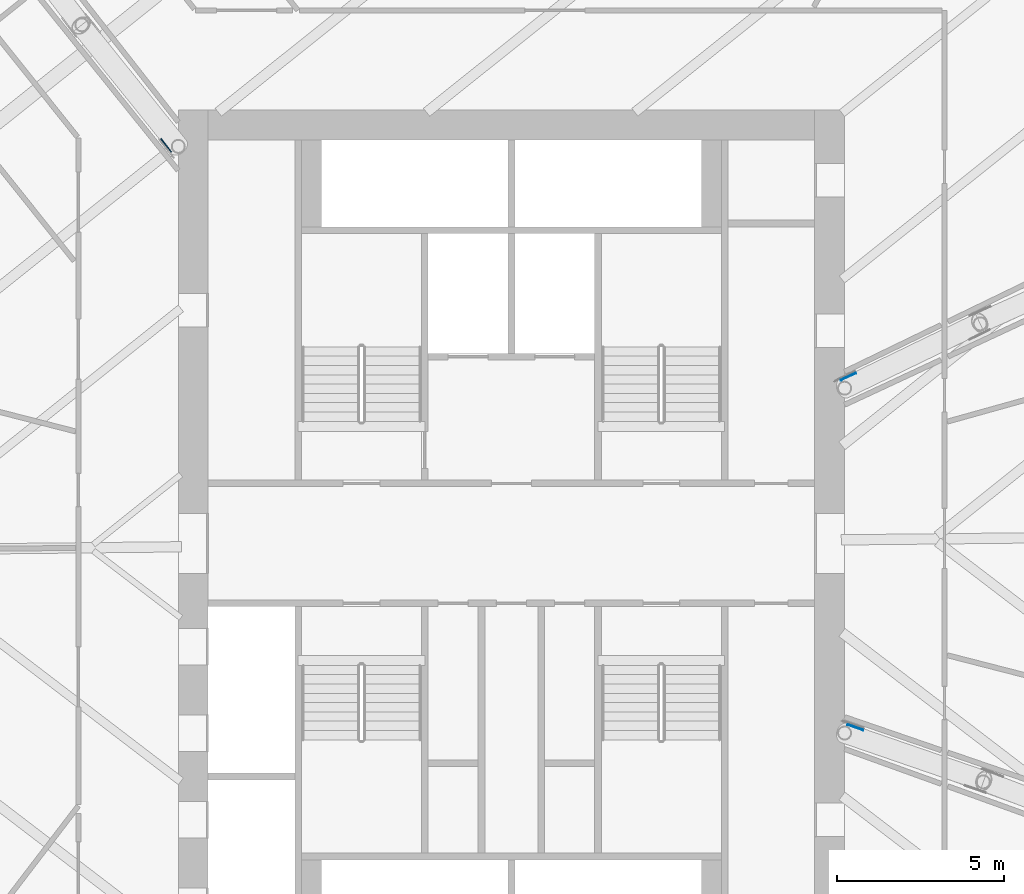
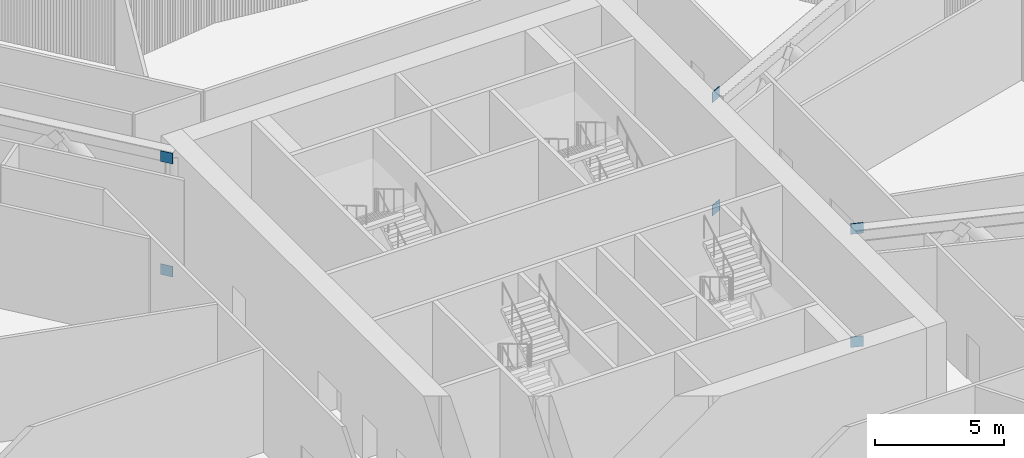
# One storey, part 25 of 48: 6 discrete accessories.
"""IFC4 building model written with IfcOpenShell, lengths in metres."""

import ifcopenshell
import ifcopenshell.guid

model = None  # the IFC model being written
_history = None  # IfcOwnerHistory: only IFC2X3 demands one
_inside = {}  # id of a spatial element -> (the spatial element, [elements in it])
_under = {}  # id of a project, library or spatial element -> (it, [spatial elements below it])
_declared = {}  # id of a project -> (the project, [libraries it declares])
_typed = {}  # id of a type object -> (the type object, [elements of that type])
_made_of = {}  # id of a material, layer set ... -> (it, [elements and type objects made of it])


def new_model(schema):
    """Start an empty IFC model of exactly this schema.

    Asked for "IFC4X3", IfcOpenShell would pick the latest addendum, in which some entities
    have other attributes; the version numbers below select the first issue.
    IFC2X3 requires an IfcOwnerHistory on every rooted entity: one is made here for all.
    """
    global model, _history
    if schema == "IFC4X3":
        model = ifcopenshell.file(schema_version=(4, 3, 0, 0))
    else:
        model = ifcopenshell.file(schema=schema)
    _inside.clear()
    _under.clear()
    _declared.clear()
    _typed.clear()
    _made_of.clear()
    _history = None
    if model.schema == "IFC2X3":
        org = make("IfcOrganization", Name="unknown")
        user = make(
            "IfcPersonAndOrganization",
            ThePerson=make("IfcPerson", FamilyName="unknown"),
            TheOrganization=org,
        )
        app = make(
            "IfcApplication",
            ApplicationDeveloper=org,
            Version="unknown",
            ApplicationFullName="unknown",
            ApplicationIdentifier="unknown",
        )
        _history = make(
            "IfcOwnerHistory",
            OwningUser=user,
            OwningApplication=app,
            ChangeAction="ADDED",
            CreationDate=0,
        )
    return model


def make(cls, **values):
    """One entity of the class cls with the attributes given. An attribute that is None is left unset."""
    return model.create_entity(
        cls, **{name: value for name, value in values.items() if value is not None}
    )


def rooted(cls, **values):
    """An entity with a GlobalId (a new one), such as an element, a storey or a relation."""
    return make(cls, GlobalId=ifcopenshell.guid.new(), OwnerHistory=_history, **values)


def si_unit(unit_type, name, prefix=None):
    """IfcSIUnit, for example si_unit("LENGTHUNIT", "METRE", prefix="MILLI")."""
    return make("IfcSIUnit", UnitType=unit_type, Prefix=prefix, Name=name)


def assignment(units):
    """IfcUnitAssignment: the units of a project."""
    return None if units is None else make("IfcUnitAssignment", Units=units)


def point(xyz):
    """IfcCartesianPoint."""
    return None if xyz is None else make("IfcCartesianPoint", Coordinates=xyz)


def direction(xyz):
    """IfcDirection."""
    return None if xyz is None else make("IfcDirection", DirectionRatios=xyz)


def frame(location, z_axis=None, x_axis=None):
    """IfcAxis2Placement3D, a coordinate frame: its origin and axes. An axis left out is left unset."""
    return make(
        "IfcAxis2Placement3D",
        Location=point(location),
        Axis=direction(z_axis),
        RefDirection=direction(x_axis),
    )


def frame_2d(location, x_axis=None):
    """IfcAxis2Placement2D, a coordinate frame in the plane: its origin and x axis."""
    return make(
        "IfcAxis2Placement2D", Location=point(location), RefDirection=direction(x_axis)
    )


def origin():
    """The frame at (0, 0, 0) with its axes left unset."""
    return frame((0.0, 0.0, 0.0))


def origin_2d():
    """The frame at (0, 0) in the plane with its x axis left unset."""
    return frame_2d((0.0, 0.0))


def place(relative_to, where):
    """IfcLocalPlacement: puts the frame where relative to a parent placement (None: the world)."""
    return make(
        "IfcLocalPlacement", PlacementRelTo=relative_to, RelativePlacement=where
    )


def context(
    kind, dimensions, precision=None, world=None, true_north=None, identifier=None
):
    """IfcGeometricRepresentationContext, for example the 3D "Model" context."""
    return make(
        "IfcGeometricRepresentationContext",
        ContextIdentifier=identifier,
        ContextType=kind,
        CoordinateSpaceDimension=dimensions,
        Precision=precision,
        WorldCoordinateSystem=world,
        TrueNorth=true_north,
    )


def subcontext(parent, identifier, kind, view, scale=None):
    """IfcGeometricRepresentationSubContext, for example "Body" below "Model"."""
    return make(
        "IfcGeometricRepresentationSubContext",
        ContextIdentifier=identifier,
        ContextType=kind,
        ParentContext=parent,
        TargetScale=scale,
        TargetView=view,
    )


def project(units=None, contexts=None):
    """IfcProject with its units and contexts."""
    return rooted(
        "IfcProject",
        Name="project",
        RepresentationContexts=contexts,
        UnitsInContext=assignment(units),
    )


def spatial(cls, under=None, at=None, **own):
    """A site, building, storey or space (cls), placed at a placement, below another one or the project."""
    s = rooted(cls, ObjectPlacement=at, **own)
    if under is not None:
        _under.setdefault(under.id(), (under, []))[1].append(s)
    return s


def profile(cls, at=None, kind="AREA", **sizes):
    """A parametric profile (cls). Its sizes go by their IFC names, for example OverallWidth=200.0."""
    return make(cls, ProfileType=kind, Position=at, **sizes)


def rectangle(**sizes):
    """IfcRectangleProfileDef."""
    return profile("IfcRectangleProfileDef", **sizes)


def extrude(swept, where, along, depth):
    """IfcExtrudedAreaSolid: the profile swept, set in the frame where, extruded along a direction by depth."""
    return make(
        "IfcExtrudedAreaSolid",
        SweptArea=swept,
        Position=where,
        ExtrudedDirection=direction(along),
        Depth=depth,
    )


def shape(context_of_items, identifier, shape_type, items):
    """IfcShapeRepresentation: the items that make up one representation, for example the "Body"."""
    return make(
        "IfcShapeRepresentation",
        ContextOfItems=context_of_items,
        RepresentationIdentifier=identifier,
        RepresentationType=shape_type,
        Items=items,
    )


def material(Name=None, Category=None):
    """IfcMaterial."""
    return make("IfcMaterial", Name=Name, Category=Category)


def material_profile(
    of_material, cross_section, Name=None, Category=None, Priority=None
):
    """IfcMaterialProfile: a cross section and its material."""
    return make(
        "IfcMaterialProfile",
        Name=Name,
        Material=of_material,
        Profile=cross_section,
        Priority=Priority,
        Category=Category,
    )


def profile_set(profiles, Name=None, composite=None):
    """IfcMaterialProfileSet."""
    return make(
        "IfcMaterialProfileSet",
        Name=Name,
        MaterialProfiles=profiles,
        CompositeProfile=composite,
    )


def made_of(thing, what):
    """Note that an element or type object is made of a material, layer set ...; save() writes the relation."""
    if what is not None:
        _made_of.setdefault(what.id(), (what, []))[1].append(thing)
    return thing


def type_object(cls, material=None, **own):
    """A type object (cls), such as IfcWallType, which elements share."""
    return made_of(rooted(cls, **own), material)


def element(
    cls,
    number,
    at=None,
    inside=None,
    cuts=None,
    type_object=None,
    material=None,
    context=None,
    identifier="Body",
    shape_type=None,
    held_by="IfcProductDefinitionShape",
    body=None,
    shapes=None,
    **own,
):
    """One element of the class cls, such as IfcWall. Its Tag is "e" and its number.

    at: its placement. inside: the storey or other place that contains it. cuts: it is an
    opening in that element (IfcRelVoidsElement). A single representation is given by context,
    identifier, shape_type and body (its items); several are given by shapes. held_by: the class
    of the entity that holds the representations. save() writes the other relations.
    """
    e = rooted(cls, Tag="e%d" % number, ObjectPlacement=at, **own)
    if body is not None:
        shapes = [shape(context, identifier, shape_type, body)]
    if shapes is not None:
        e.Representation = make(held_by, Representations=shapes)
    if inside is not None:
        _inside.setdefault(inside.id(), (inside, []))[1].append(e)
    if cuts is not None:
        rooted(
            "IfcRelVoidsElement", RelatingBuildingElement=cuts, RelatedOpeningElement=e
        )
    if type_object is not None:
        _typed.setdefault(type_object.id(), (type_object, []))[1].append(e)
    return made_of(e, material)


def aggregate(whole, parts):
    """IfcRelAggregates: a whole, such as a stair, and the parts it consists of."""
    return rooted("IfcRelAggregates", RelatingObject=whole, RelatedObjects=parts)


def save(model, path):
    """Write the relations noted so far, then the file.

    IfcRelAggregates (storeys below a building ...), IfcRelContainedInSpatialStructure (elements
    in a storey), IfcRelDefinesByType, IfcRelAssociatesMaterial and IfcRelDeclares: one each for
    every whole, place, type object, material and project.
    """
    for whole, parts in _under.values():
        aggregate(whole, parts)
    for where, things in _inside.values():
        rooted(
            "IfcRelContainedInSpatialStructure",
            RelatedElements=things,
            RelatingStructure=where,
        )
    for kind, things in _typed.values():
        rooted("IfcRelDefinesByType", RelatedObjects=things, RelatingType=kind)
    for what, things in _made_of.values():
        rooted("IfcRelAssociatesMaterial", RelatedObjects=things, RelatingMaterial=what)
    for by, libraries in _declared.values():
        rooted("IfcRelDeclares", RelatingContext=by, RelatedDefinitions=libraries)
    model.write(path)


model = new_model("IFC4")

# Units and contexts
model_context = context("Model", 3, precision=1e-05, world=origin(), true_north=direction((0.0, 1.0)))
body_context = subcontext(model_context, "Body", "Model", "MODEL_VIEW")
ifc_project = project(units=[si_unit("LENGTHUNIT", "METRE"), si_unit("AREAUNIT", "SQUARE_METRE"), si_unit("VOLUMEUNIT", "CUBIC_METRE"), si_unit("PLANEANGLEUNIT", "RADIAN"), si_unit("MASSUNIT", "GRAM", prefix="KILO")], contexts=[model_context])

# Site, building, storey
site_placement = place(None, origin())
site = spatial("IfcSite", under=ifc_project, at=site_placement, CompositionType="ELEMENT")
building_placement = place(site_placement, origin())
building = spatial("IfcBuilding", under=site, at=building_placement, Name="Tarsis Ring Headquarters", CompositionType="ELEMENT")
storey_placement = place(building_placement, frame((0.0, 0.0, 34.0)))
storey = spatial("IfcBuildingStorey", under=building, at=storey_placement, Name="L06", CompositionType="ELEMENT", Elevation=34.0)

# Discrete accessories
ifc_material = material(Name="Structural steel S355", Category="steel")
ifc_material_profile = material_profile(ifc_material, rectangle(XDim=0.02490234375, YDim=0.5, at=origin_2d()), Name="PL 25x500")
ifc_profile_set = profile_set([ifc_material_profile], Name="Structural steel S355")
discrete_accessory_type = type_object("IfcDiscreteAccessoryType", Name="Gusset plate Outrigger chord 25", PredefinedType="BRACKET", material=ifc_profile_set)
for number, where, z_axis, x_axis, name in (
    (1, (10.090576171875, -5.442626953125, 0.25390625), (0.940631883333, -0.339428431421, 0.0), (0.339428431421, 0.940631883333, 0.0), "Gusset plate GP3"),
    (2, (10.086669921875, -5.441162109375, 5.5859375), (0.945663145699, -0.325147989177, 0.0), (0.325147989177, 0.945663145699, 0.0), "Gusset plate GP3"),
):
    element("IfcDiscreteAccessory", number, at=place(storey_placement, frame(where, z_axis=z_axis, x_axis=x_axis)), inside=storey, type_object=discrete_accessory_type, Name=name, PredefinedType="BRACKET", context=body_context, shape_type="SweptSolid", body=[
        extrude(rectangle(XDim=0.02490234375, YDim=0.5, at=origin_2d()), origin(), (0.0, 0.0, 1.0), 0.5),
    ])
discrete_accessory_placement = place(storey_placement, frame((-10.2099609375, 11.751220703125, 0.25390625), z_axis=(-0.616439960456, 0.787401914624, 0.0), x_axis=(-0.787401914624, -0.616439960456, 0.0)))
element("IfcDiscreteAccessory", 3, at=discrete_accessory_placement, inside=storey, type_object=discrete_accessory_type, Name="Gusset plate GP3", PredefinedType="BRACKET", context=body_context, shape_type="SweptSolid", body=[
    extrude(rectangle(XDim=0.02490234375, YDim=0.5, at=origin_2d()), origin(), (0.0, 0.0, 1.0), 0.499755859375),
])
for number, where, z_axis, x_axis, name in (
    (4, (-10.207763671875, 11.748291015625, 5.5859375), (-0.626539462828, 0.779389698109, 0.0), (-0.779389698109, -0.626539462828, 0.0), "Gusset plate GP3"),
    (5, (9.887451171875, 4.89794921875, 0.25390625), (0.906669002458, 0.421842766895, 0.0), (-0.421842766895, 0.906669002458, 0.0), "Gusset plate GP3"),
    (6, (9.8837890625, 4.896240234375, 5.5859375), (0.900208640153, 0.435458843284, 0.0), (-0.435458843284, 0.900208640153, 0.0), "Gusset plate GP3"),
):
    element("IfcDiscreteAccessory", number, at=place(storey_placement, frame(where, z_axis=z_axis, x_axis=x_axis)), inside=storey, type_object=discrete_accessory_type, Name=name, PredefinedType="BRACKET", context=body_context, shape_type="SweptSolid", body=[
        extrude(rectangle(XDim=0.02490234375, YDim=0.5, at=origin_2d()), origin(), (0.0, 0.0, 1.0), 0.5),
    ])

save(model, "model.ifc")
